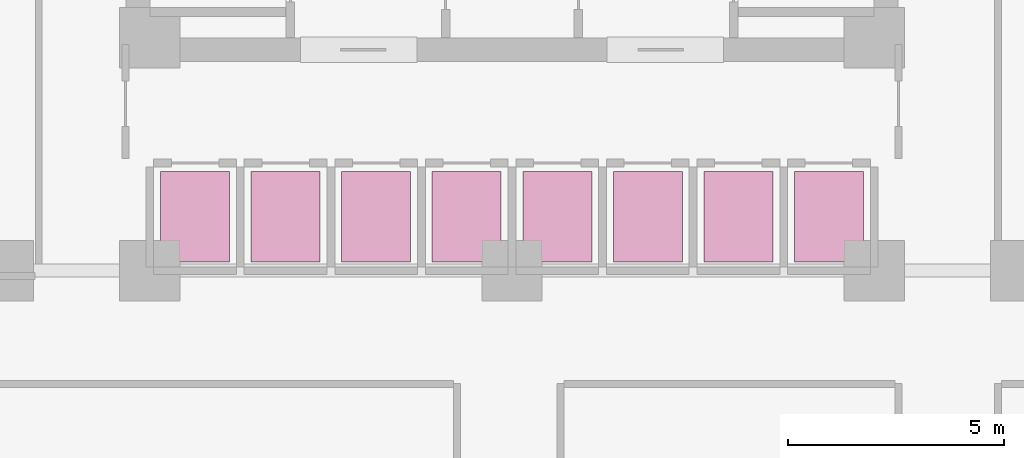
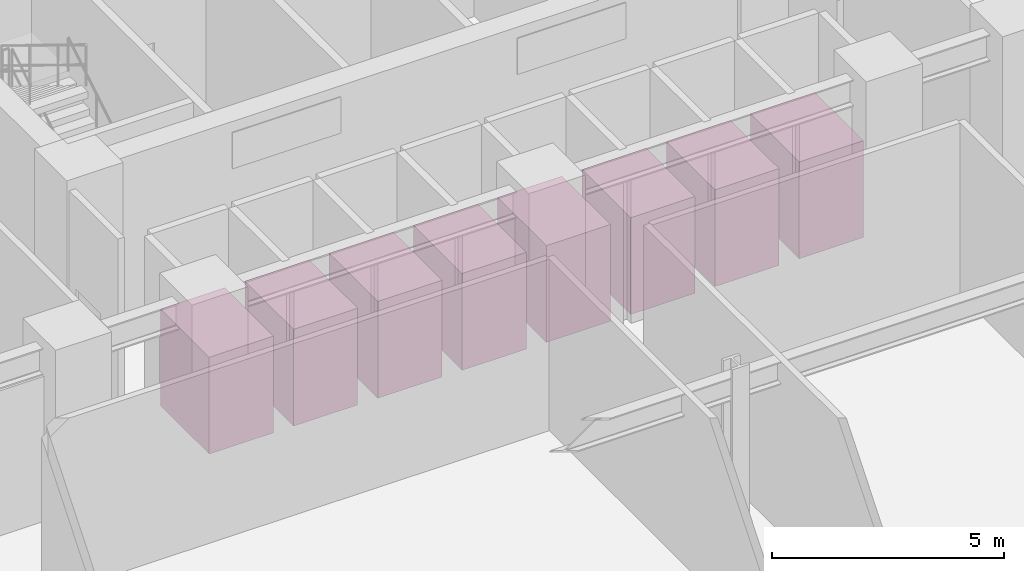
# One storey, part 40 of 40: 8 transport elements.
"""IFC4 building model written with IfcOpenShell, lengths in metres."""

from ifc_helpers import new_model, si_unit, derived_unit, direction, frame, origin, origin_2d, place, context, subcontext, project, spatial, rectangle, extrude, source, transform, mapped, material, type_object, element, save


model = new_model("IFC4")

# Units and contexts
model_context = context("Model", 3, precision=1e-05, world=origin(), true_north=direction((0.0, 1.0)))
body_context = subcontext(model_context, "Body", "Model", "MODEL_VIEW")
ifc_project = project(units=[si_unit("LENGTHUNIT", "METRE"), si_unit("AREAUNIT", "SQUARE_METRE"), si_unit("VOLUMEUNIT", "CUBIC_METRE"), si_unit("PLANEANGLEUNIT", "RADIAN"), si_unit("MASSUNIT", "GRAM", prefix="KILO"), derived_unit("THERMALTRANSMITTANCEUNIT", [(si_unit("POWERUNIT", "WATT"), 1), (si_unit("LENGTHUNIT", "METRE"), -2), (si_unit("THERMODYNAMICTEMPERATUREUNIT", "KELVIN"), -1)])], contexts=[model_context])

# Site, building, storey
site_placement = place(None, origin())
site = spatial("IfcSite", under=ifc_project, at=site_placement, CompositionType="ELEMENT")
building_placement = place(site_placement, origin())
building = spatial("IfcBuilding", under=site, at=building_placement, Name="Korsvarv Bourse and Concert Hall", CompositionType="ELEMENT")
storey_placement = place(building_placement, origin())
storey = spatial("IfcBuildingStorey", under=building, at=storey_placement, Name="L00", CompositionType="ELEMENT", Elevation=0.0)

# Transport elements
ifc_material = material(Name="Stainless Steel S355 high-speed passenger elevator car", Category="steel")
transport_element_type = type_object("IfcTransportElementType", Name="LFT-CAR-PAX", PredefinedType="ELEVATOR", material=ifc_material)
shared_shape = source(origin(), body_context, "Body", "SweptSolid", [
    extrude(rectangle(XDim=1.60009765625, YDim=2.10009765625, at=origin_2d()), origin(), (0.0, 0.0, 1.0), 2.550048828125),
])
for number, where, z_axis, x_axis, name in (
    (1, (28.64990234375, 33.64990234375, 0.0), (0.0, 0.0, 1.0), (1.0, 0.0, 0.0), "Low Rise Passenger Lift PL1"),
    (2, (30.75, 33.64990234375, 0.0), (0.0, 0.0, 1.0), (1.0, 0.0, 0.0), "Low Rise Passenger Lift PL2"),
    (3, (32.85009765625, 33.64990234375, 0.0), (0.0, 0.0, 1.0), (1.0, 0.0, 0.0), "Mid Rise Passenger Lift PM1"),
    (4, (34.949951171875, 33.64990234375, 0.0), (0.0, 0.0, 1.0), (1.0, 0.0, 0.0), "Mid Rise Passenger Lift PM2"),
    (5, (37.050048828125, 33.64990234375, 0.0), (0.0, 0.0, 1.0), (1.0, 0.0, 0.0), "High Rise Passenger Lift PH1"),
    (6, (39.14990234375, 33.64990234375, 0.0), (0.0, 0.0, 1.0), (1.0, 0.0, 0.0), "High Rise Passenger Lift PH2"),
    (7, (41.25, 33.64990234375, 0.0), (0.0, 0.0, 1.0), (1.0, 0.0, 0.0), "Lookout Shuttle Lift PO1"),
    (8, (43.35009765625, 33.64990234375, 0.0), (0.0, 0.0, 1.0), (1.0, 0.0, 0.0), "Lookout Shuttle Lift PO2"),
):
    element("IfcTransportElement", number, at=place(storey_placement, frame(where, z_axis=z_axis, x_axis=x_axis)), inside=storey, type_object=transport_element_type, Name=name, PredefinedType="ELEVATOR", context=body_context, shape_type="MappedRepresentation", body=[
        mapped(shared_shape, transform((0.0, 0.0, 0.0), scale=1.0)),
    ])

save(model, "model.ifc")
